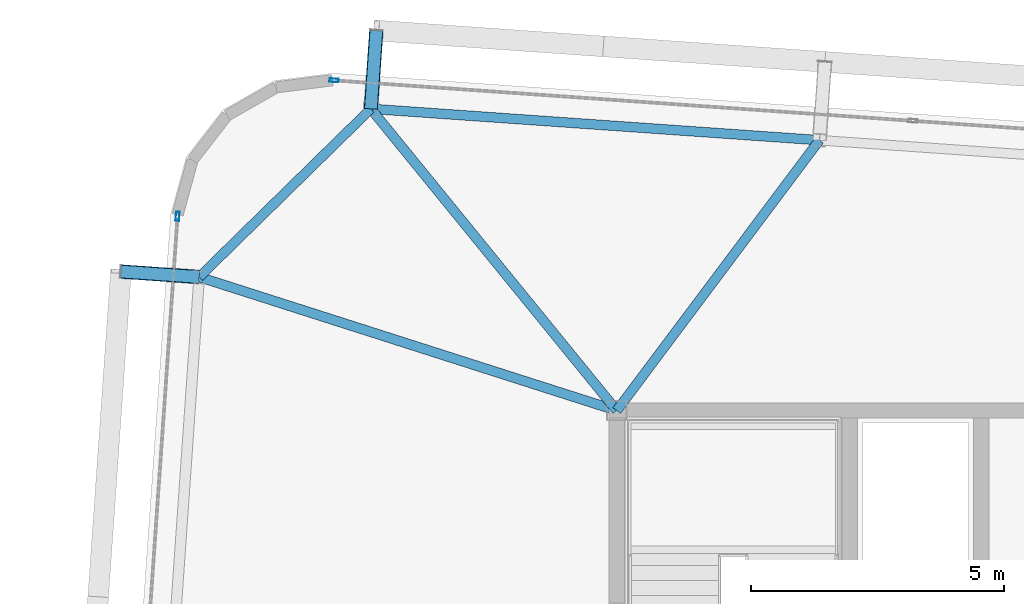
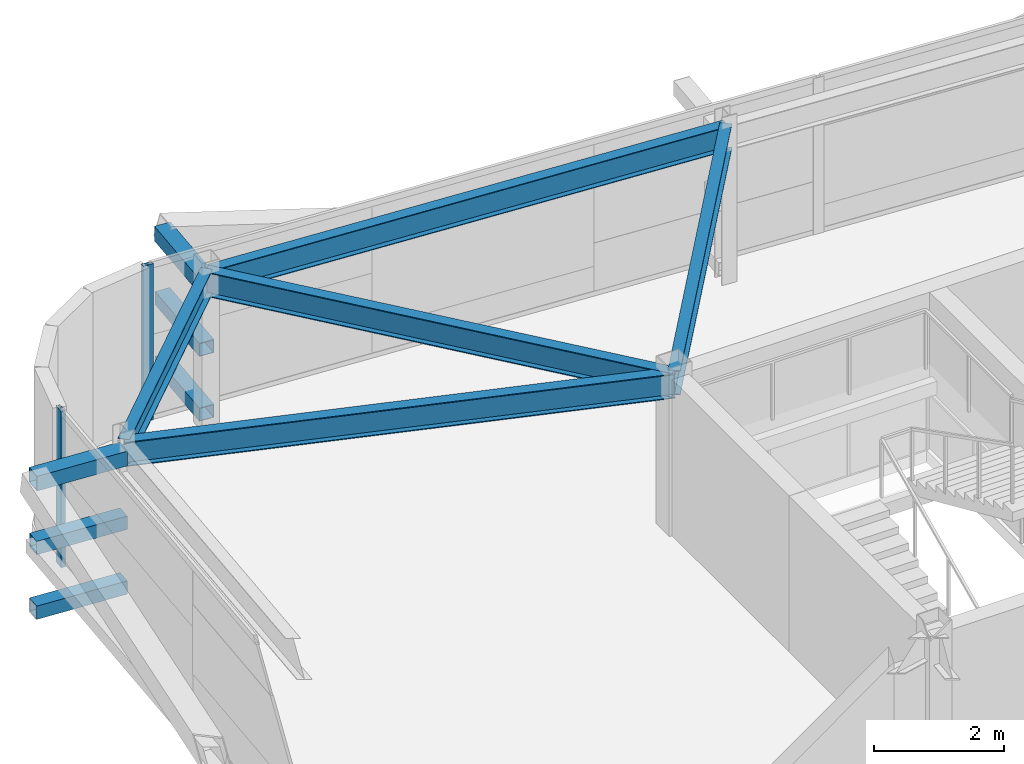
# One storey, part 19 of 39: 8 members, 5 beams, 2 elements without a shape of their own.
"""IFC4 building model written with IfcOpenShell, lengths in metres."""

from ifc_helpers import new_model, si_unit, direction, frame, origin, origin_2d, place, context, subcontext, project, spatial, hollow_rectangle, i_section, extrude, source, transform, mapped, material, layer, layer_set, material_profile, profile_set, type_object, element, aggregate, save


model = new_model("IFC4")

# Units and contexts
model_context = context("Model", 3, precision=1e-05, world=origin(), true_north=direction((0.0, 1.0)))
body_context = subcontext(model_context, "Body", "Model", "MODEL_VIEW")
ifc_project = project(units=[si_unit("LENGTHUNIT", "METRE"), si_unit("AREAUNIT", "SQUARE_METRE"), si_unit("VOLUMEUNIT", "CUBIC_METRE"), si_unit("PLANEANGLEUNIT", "RADIAN"), si_unit("MASSUNIT", "GRAM", prefix="KILO")], contexts=[model_context])

# Site, building, storey
site_placement = place(None, origin())
site = spatial("IfcSite", under=ifc_project, at=site_placement, CompositionType="ELEMENT")
building_placement = place(site_placement, origin())
building = spatial("IfcBuilding", under=site, at=building_placement, Name="Taldren Reach Tower", CompositionType="ELEMENT")
storey_placement = place(building_placement, frame((0.0, 0.0, 148.75)))
storey = spatial("IfcBuildingStorey", under=building, at=storey_placement, Name="L45", CompositionType="ELEMENT", Elevation=148.75)

# Members
ifc_material_1 = material(Name="Steel Gr 450 (C450L0)", Category="steel")
ifc_material_profile_1 = material_profile(ifc_material_1, hollow_rectangle(XDim=0.27490234375, YDim=0.27490234375, WallThickness=0.00927734375, at=origin_2d()), Name="275x275x9.3SHS")
ifc_profile_set_1 = profile_set([ifc_material_profile_1], Name="Steel Gr 450 (C450L0)")
member_type_1 = type_object("IfcMemberType", Name="MB-TIE273", PredefinedType="STRUT", material=ifc_profile_set_1)
shared_shape_1 = source(origin(), body_context, "Body", "SweptSolid", [
    extrude(hollow_rectangle(XDim=0.27490234375, YDim=0.27490234375, WallThickness=0.00927734375, at=origin_2d()), origin(), (0.0, 0.0, 1.0), 1.5498046875),
])
for number, where, z_axis, x_axis, name in (
    (1, (14.14453125, 37.958740234375, 2.64990234375), (0.069780535098, 0.997562367434, 0.0), (-0.997562367434, 0.069780535098, 0.0), "Exoskeleton diaphragm tie strut B3-N1 L45"),
    (2, (10.754638671875, 34.63720703125, 2.64990234375), (-0.997562367434, 0.069780535098, 0.0), (-0.069780535098, -0.997562367434, 0.0), "Exoskeleton diaphragm tie strut B3-W3 L45"),
):
    element("IfcMember", number, at=place(storey_placement, frame(where, z_axis=z_axis, x_axis=x_axis)), inside=storey, type_object=member_type_1, Name=name, PredefinedType="STRUT", context=body_context, shape_type="MappedRepresentation", body=[
        mapped(shared_shape_1, transform((0.0, 0.0, 0.0), scale=1.0)),
    ])
ifc_material_2 = material(Name="Steel Gr 350 (C350L0)", Category="steel")
ifc_material_profile_2 = material_profile(ifc_material_2, hollow_rectangle(XDim=0.25, YDim=0.25, WallThickness=0.010009765625, at=origin_2d()), Name="250x250x10.0SHS")
ifc_profile_set_2 = profile_set([ifc_material_profile_2], Name="Steel Gr 350 (C350L0)")
member_type_2 = type_object("IfcMemberType", Name="MB-POST250", PredefinedType="POST", material=ifc_profile_set_2)
shared_shape_2 = source(origin(), body_context, "Body", "SweptSolid", [
    extrude(hollow_rectangle(XDim=0.25, YDim=0.25, WallThickness=0.010009765625, at=origin_2d()), origin(), (0.0, 0.0, 1.0), 1.5498046875),
])
for number, where, z_axis, x_axis, name in (
    (3, (14.14453125, 37.958740234375, 0.219970703125), (0.069780535098, 0.997562367434, 0.0), (-0.997562367434, 0.069780535098, 0.0), "Exoskeleton base diaphragm tie strut B3-N1 L45"),
    (4, (10.754638671875, 34.63720703125, 0.219970703125), (-0.997562367434, 0.069780535098, 0.0), (-0.069780535098, -0.997562367434, 0.0), "Exoskeleton base diaphragm tie strut B3-W3 L45"),
    (5, (14.14453125, 37.958740234375, 1.43505859375), (0.069780535098, 0.997562367434, 0.0), (-0.997562367434, 0.069780535098, 0.0), "Exoskeleton mid-tier diaphragm tie B3-N1 L45"),
    (6, (10.754638671875, 34.63720703125, 1.43505859375), (-0.997562367434, 0.069780535098, 0.0), (-0.069780535098, -0.997562367434, 0.0), "Exoskeleton mid-tier diaphragm tie B3-W3 L45"),
):
    element("IfcMember", number, at=place(storey_placement, frame(where, z_axis=z_axis, x_axis=x_axis)), inside=storey, type_object=member_type_2, Name=name, PredefinedType="POST", context=body_context, shape_type="MappedRepresentation", body=[
        mapped(shared_shape_2, transform((0.0, 0.0, 0.0), scale=1.0)),
    ])

# Beams
ifc_material_3 = material(Name="Steel Gr 350 (350PLUS)", Category="steel")
ifc_material_profile_3 = material_profile(ifc_material_3, i_section(OverallWidth=0.18994140625, OverallDepth=0.4541015625, WebThickness=0.008544921875, FlangeThickness=0.0126953125, at=origin_2d()), Name="460UB67.1")
ifc_profile_set_3 = profile_set([ifc_material_profile_3], Name="Steel Gr 350 (350PLUS)")
beam_type_1 = type_object("IfcBeamType", Name="SP-UB460B", PredefinedType="SPANDREL", material=ifc_profile_set_3)
shared_shape_3 = source(origin(), body_context, "Body", "SweptSolid", [
    extrude(i_section(OverallWidth=0.18994140625, OverallDepth=0.4541015625, WebThickness=0.008544921875, FlangeThickness=0.0126953125, at=origin_2d()), origin(), (0.0, 0.0, 1.0), 8.880126953125),
])
beam_1_placement = place(storey_placement, frame((23.0029296875, 37.33935546875, 2.702880859375), z_axis=(-0.997564479639, 0.069750333063, 0.0), x_axis=(-0.069750333063, -0.997564479639, 0.0)))
element("IfcBeam", 7, at=beam_1_placement, inside=storey, type_object=beam_type_1, Name="Perimeter spandrel B3 N2-N1 L45", PredefinedType="SPANDREL", context=body_context, shape_type="MappedRepresentation", body=[
    mapped(shared_shape_3, transform((0.0, 0.0, 0.0), scale=1.0)),
])
shared_shape_4 = source(origin(), body_context, "Body", "SweptSolid", [
    extrude(i_section(OverallWidth=0.18994140625, OverallDepth=0.4541015625, WebThickness=0.008544921875, FlangeThickness=0.0126953125, at=origin_2d()), origin(), (0.0, 0.0, 1.0), 4.745849609375),
])
beam_2_placement = place(storey_placement, frame((14.14453125, 37.958740234375, 2.702880859375), z_axis=(-0.714271982806, -0.699868226581, 0.0), x_axis=(0.699868226581, -0.714271982806, 0.0)))
element("IfcBeam", 8, at=beam_2_placement, inside=storey, type_object=beam_type_1, Name="Perimeter spandrel B3 N1-W3 L45", PredefinedType="SPANDREL", context=body_context, shape_type="MappedRepresentation", body=[
    mapped(shared_shape_4, transform((0.0, 0.0, 0.0), scale=1.0)),
])
ifc_material_profile_4 = material_profile(ifc_material_3, i_section(OverallWidth=0.19091796875, OverallDepth=0.4599609375, WebThickness=0.010009765625, FlangeThickness=0.01611328125, at=origin_2d()), Name="460UB82.1")
ifc_profile_set_4 = profile_set([ifc_material_profile_4], Name="Steel Gr 350 (350PLUS)")
beam_type_2 = type_object("IfcBeamType", Name="BM-UB460A", PredefinedType="BEAM", material=ifc_profile_set_4)
shared_shape_5 = source(origin(), body_context, "Body", "SweptSolid", [
    extrude(i_section(OverallWidth=0.19091796875, OverallDepth=0.4599609375, WebThickness=0.010009765625, FlangeThickness=0.01611328125, at=origin_2d()), origin(), (0.0, 0.0, 1.0), 6.67333984375),
])
beam_3_placement = place(storey_placement, frame((19.0, 32.0, 2.699951171875), z_axis=(0.599847795508, 0.800114130749, 0.0), x_axis=(-0.800114130749, 0.599847795508, 0.0)))
element("IfcBeam", 9, at=beam_3_placement, inside=storey, type_object=beam_type_2, Name="Primary floor girder B3-N2 L45", PredefinedType="BEAM", context=body_context, shape_type="MappedRepresentation", body=[
    mapped(shared_shape_5, transform((0.0, 0.0, 0.0), scale=1.0)),
])
shared_shape_6 = source(origin(), body_context, "Body", "SweptSolid", [
    extrude(i_section(OverallWidth=0.19091796875, OverallDepth=0.4599609375, WebThickness=0.010009765625, FlangeThickness=0.01611328125, at=origin_2d()), origin(), (0.0, 0.0, 1.0), 7.6865234375),
])
beam_4_placement = place(storey_placement, frame((19.0, 32.0, 2.699951171875), z_axis=(-0.631688504871, 0.775222311866, 0.0), x_axis=(-0.775222311866, -0.631688504871, 0.0)))
element("IfcBeam", 10, at=beam_4_placement, inside=storey, type_object=beam_type_2, Name="Primary floor girder B3-N1 L45", PredefinedType="BEAM", context=body_context, shape_type="MappedRepresentation", body=[
    mapped(shared_shape_6, transform((0.0, 0.0, 0.0), scale=1.0)),
])
shared_shape_7 = source(origin(), body_context, "Body", "SweptSolid", [
    extrude(i_section(OverallWidth=0.19091796875, OverallDepth=0.4599609375, WebThickness=0.010009765625, FlangeThickness=0.01611328125, at=origin_2d()), origin(), (0.0, 0.0, 1.0), 8.65673828125),
])
beam_5_placement = place(storey_placement, frame((19.0, 32.0, 2.699951171875), z_axis=(-0.952468016288, 0.304638602195, 0.0), x_axis=(-0.304638602195, -0.952468016288, 0.0)))
element("IfcBeam", 11, at=beam_5_placement, inside=storey, type_object=beam_type_2, Name="Primary floor girder B3-W3 L45", PredefinedType="BEAM", context=body_context, shape_type="MappedRepresentation", body=[
    mapped(shared_shape_7, transform((0.0, 0.0, 0.0), scale=1.0)),
])

# Curtain wall, member
ifc_material_4 = material(Name="Aluminium and Low-E Glass Unitised System", Category="aluminium")
ifc_layer = layer(ifc_material_4, 0.159912109375)
ifc_layer_set = layer_set([ifc_layer], Name="Aluminium and Low-E Glass Unitised System")
curtain_wall_type = type_object("IfcCurtainWallType", Name="CW-SYS-4", PredefinedType="NOTDEFINED", material=ifc_layer_set)
curtain_wall_1_placement = place(storey_placement, origin())
curtain_wall_1 = element("IfcCurtainWall", 12, at=curtain_wall_1_placement, inside=storey, type_object=curtain_wall_type, Name="Unitised curtain wall CW-L45-N", PredefinedType="NOTDEFINED")
ifc_material_5 = material(Name="Anodised Aluminium 6063-T6", Category="aluminium")
ifc_material_profile_5 = material_profile(ifc_material_5, hollow_rectangle(XDim=0.070068359375, YDim=0.179931640625, WallThickness=0.00390625, at=origin_2d()), Name="ALU-180x70x4RHS")
ifc_profile_set_5 = profile_set([ifc_material_profile_5], Name="Anodised Aluminium 6063-T6")
member_type_3 = type_object("IfcMemberType", Name="CW-MUL-180", PredefinedType="MULLION", material=ifc_profile_set_5)
shared_shape_8 = source(origin(), body_context, "Body", "SweptSolid", [
    extrude(hollow_rectangle(XDim=0.070068359375, YDim=0.179931640625, WallThickness=0.00390625, at=origin_2d()), origin(), (0.0, 0.0, 1.0), 2.929931640625),
])
member_1_placement = place(storey_placement, frame((13.4169921875, 38.52099609375, 0.0), z_axis=(0.0, 0.0, 1.0), x_axis=(-0.06975651593, -0.99756404731, 0.0)))
member_1 = element("IfcMember", 13, at=member_1_placement, type_object=member_type_3, Name="CW-4 mullion 5", PredefinedType="MULLION", context=body_context, shape_type="MappedRepresentation", body=[
    mapped(shared_shape_8, transform((0.0, 0.0, 0.0), scale=1.0)),
])
aggregate(curtain_wall_1, [member_1])

curtain_wall_2_placement = place(storey_placement, origin())
curtain_wall_2 = element("IfcCurtainWall", 14, at=curtain_wall_2_placement, inside=storey, type_object=curtain_wall_type, Name="Unitised curtain wall CW-L45-W", PredefinedType="NOTDEFINED")
member_2_placement = place(storey_placement, frame((10.3271484375, 35.8349609375, 0.0), z_axis=(0.0, 0.0, 1.0), x_axis=(0.997564052812, -0.069756437251, 0.0)))
member_2 = element("IfcMember", 15, at=member_2_placement, type_object=member_type_3, Name="CW-4 mullion 1", PredefinedType="MULLION", context=body_context, shape_type="MappedRepresentation", body=[
    mapped(shared_shape_8, transform((0.0, 0.0, 0.0), scale=1.0)),
])
aggregate(curtain_wall_2, [member_2])

save(model, "model.ifc")
